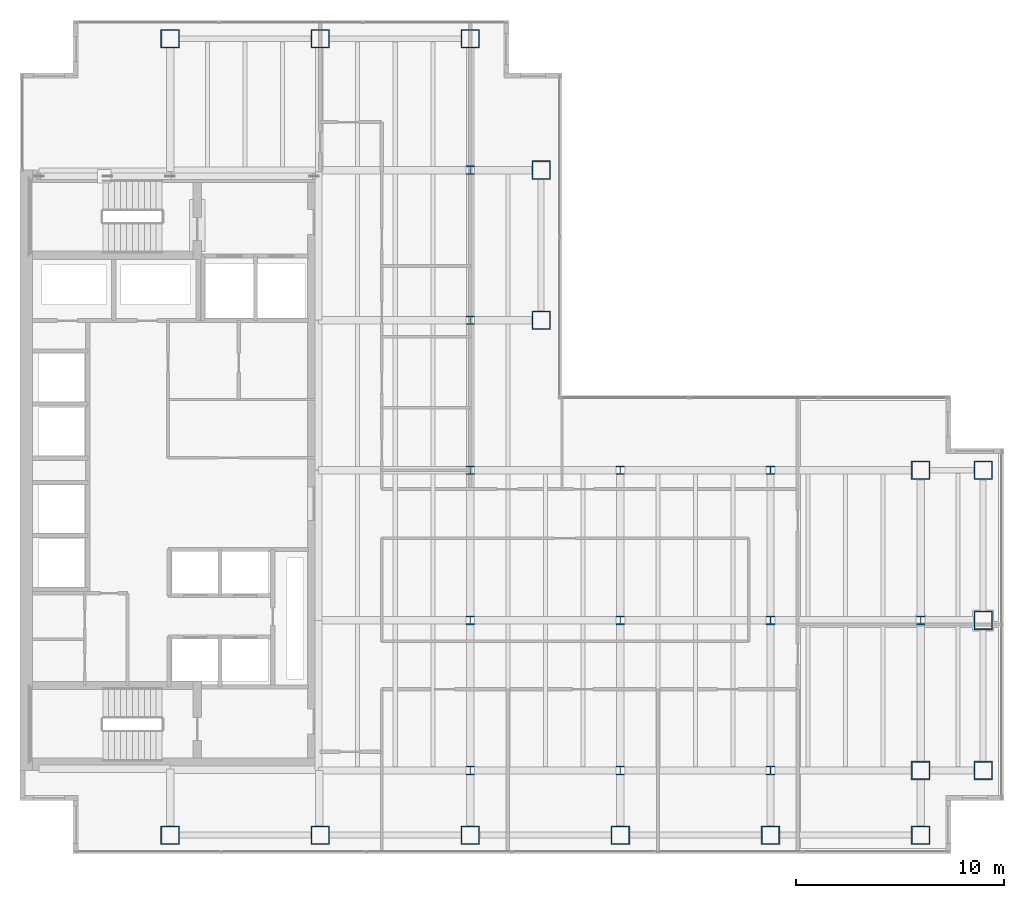
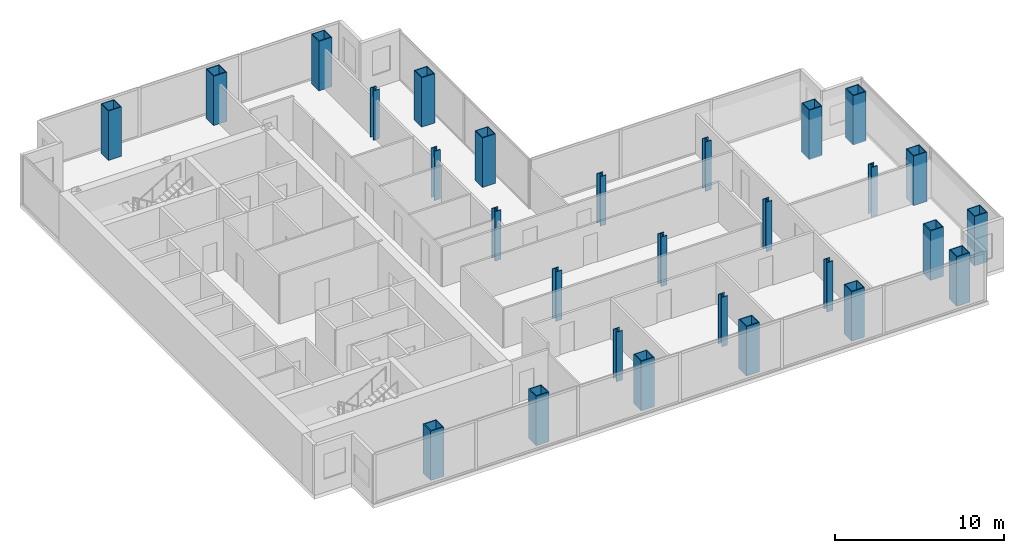
# One storey, part 1 of 23: 28 columns.
"""IFC4 building model written with IfcOpenShell, lengths in metres."""

from ifc_helpers import new_model, si_unit, direction, frame, origin, origin_2d, place, context, subcontext, project, spatial, hollow_rectangle, i_section, extrude, material, material_profile, profile_set, type_object, element, save


model = new_model("IFC4")

# Units and contexts
model_context = context("Model", 3, precision=1e-05, world=origin(), true_north=direction((0.0, 1.0)))
body_context = subcontext(model_context, "Body", "Model", "MODEL_VIEW")
ifc_project = project(units=[si_unit("LENGTHUNIT", "METRE"), si_unit("AREAUNIT", "SQUARE_METRE"), si_unit("VOLUMEUNIT", "CUBIC_METRE"), si_unit("PLANEANGLEUNIT", "RADIAN"), si_unit("MASSUNIT", "GRAM", prefix="KILO")], contexts=[model_context])

# Site, building, storey
site_placement = place(None, origin())
site = spatial("IfcSite", under=ifc_project, at=site_placement, CompositionType="ELEMENT")
building_placement = place(site_placement, origin())
building = spatial("IfcBuilding", under=site, at=building_placement, Name="Cobrela Telecom Tower", CompositionType="ELEMENT")
storey_placement = place(building_placement, frame((0.0, 0.0, 129.14990234375)))
storey = spatial("IfcBuildingStorey", under=building, at=storey_placement, Name="L32", CompositionType="ELEMENT", Elevation=129.14990234375)

# Columns
ifc_material_1 = material(Name="Steel ASTM A992 Grade 50", Category="steel")
ifc_material_profile_1 = material_profile(ifc_material_1, i_section(OverallWidth=0.408935546875, OverallDepth=0.424072265625, WebThickness=0.03271484375, FlangeThickness=0.052490234375, FilletRadius=0.01806640625, at=origin_2d()), Name="W14X283")
ifc_profile_set_1 = profile_set([ifc_material_profile_1], Name="Steel ASTM A992 Grade 50")
column_type_1 = type_object("IfcColumnType", Name="COL-INT-05", PredefinedType="COLUMN", material=ifc_profile_set_1)
for number, where, z_axis, x_axis, name in (
    (1, (21.60009765625, 7.199951171875, 0.0), (0.0, 0.0, 1.0), (1.0, 0.0, 0.0), "L32 Interior Column 06"),
    (2, (21.60009765625, 14.39990234375, 0.0), (0.0, 0.0, 1.0), (1.0, 0.0, 0.0), "L32 Interior Column 07"),
    (3, (21.60009765625, 21.60009765625, 0.0), (0.0, 0.0, 1.0), (1.0, 0.0, 0.0), "L32 Interior Column 08"),
    (4, (21.60009765625, 28.800048828125, 0.0), (0.0, 0.0, 1.0), (1.0, 0.0, 0.0), "L32 Interior Column 09"),
    (5, (21.60009765625, 36.0, 0.0), (0.0, 0.0, 1.0), (1.0, 0.0, 0.0), "L32 Interior Column 10"),
    (6, (28.800048828125, 7.199951171875, 0.0), (0.0, 0.0, 1.0), (1.0, 0.0, 0.0), "L32 Interior Column 15"),
    (7, (28.800048828125, 14.39990234375, 0.0), (0.0, 0.0, 1.0), (1.0, 0.0, 0.0), "L32 Interior Column 16"),
    (8, (28.800048828125, 21.60009765625, 0.0), (0.0, 0.0, 1.0), (1.0, 0.0, 0.0), "L32 Interior Column 17"),
    (9, (36.0, 7.199951171875, 0.0), (0.0, 0.0, 1.0), (1.0, 0.0, 0.0), "L32 Interior Column 19"),
    (10, (36.0, 14.39990234375, 0.0), (0.0, 0.0, 1.0), (1.0, 0.0, 0.0), "L32 Interior Column 20"),
    (11, (36.0, 21.60009765625, 0.0), (0.0, 0.0, 1.0), (1.0, 0.0, 0.0), "L32 Interior Column 21"),
    (12, (43.199951171875, 14.39990234375, 0.0), (0.0, 0.0, 1.0), (1.0, 0.0, 0.0), "L32 Interior Column 24"),
):
    element("IfcColumn", number, at=place(storey_placement, frame(where, z_axis=z_axis, x_axis=x_axis)), inside=storey, type_object=column_type_1, Name=name, PredefinedType="COLUMN", context=body_context, shape_type="SweptSolid", body=[
        extrude(i_section(OverallWidth=0.408935546875, OverallDepth=0.424072265625, WebThickness=0.03271484375, FlangeThickness=0.052490234375, FilletRadius=0.01806640625, at=origin_2d()), origin(), (0.0, 0.0, 1.0), 3.580078125),
    ])
ifc_material_2 = material(Name="Steel ASTM A572 Grade 50", Category="steel")
ifc_material_profile_2 = material_profile(ifc_material_2, hollow_rectangle(XDim=0.89990234375, YDim=0.89990234375, WallThickness=0.054931640625, at=origin_2d()), Name="BOX 900x900x55")
ifc_profile_set_2 = profile_set([ifc_material_profile_2], Name="Steel ASTM A572 Grade 50")
column_type_2 = type_object("IfcColumnType", Name="COL-MEGA-05", PredefinedType="COLUMN", material=ifc_profile_set_2)
for number, where, z_axis, x_axis, name in (
    (13, (7.199951171875, 4.10009765625, 0.0), (0.0, 0.0, 1.0), (1.0, 0.0, 0.0), "L32 Perimeter Mega-Column 01"),
    (14, (7.199951171875, 42.300048828125, 0.0), (0.0, 0.0, 1.0), (1.0, 0.0, 0.0), "L32 Perimeter Mega-Column 02"),
    (15, (14.39990234375, 4.10009765625, 0.0), (0.0, 0.0, 1.0), (1.0, 0.0, 0.0), "L32 Perimeter Mega-Column 03"),
    (16, (14.39990234375, 42.300048828125, 0.0), (0.0, 0.0, 1.0), (1.0, 0.0, 0.0), "L32 Perimeter Mega-Column 04"),
    (17, (21.60009765625, 4.10009765625, 0.0), (0.0, 0.0, 1.0), (1.0, 0.0, 0.0), "L32 Perimeter Mega-Column 05"),
    (18, (21.60009765625, 42.300048828125, 0.0), (0.0, 0.0, 1.0), (1.0, 0.0, 0.0), "L32 Perimeter Mega-Column 11"),
    (19, (25.0, 28.800048828125, 0.0), (0.0, 0.0, 1.0), (1.0, 0.0, 0.0), "L32 Perimeter Mega-Column 12"),
    (20, (25.0, 36.0, 0.0), (0.0, 0.0, 1.0), (1.0, 0.0, 0.0), "L32 Perimeter Mega-Column 13"),
    (21, (28.800048828125, 4.10009765625, 0.0), (0.0, 0.0, 1.0), (1.0, 0.0, 0.0), "L32 Perimeter Mega-Column 14"),
    (22, (36.0, 4.10009765625, 0.0), (0.0, 0.0, 1.0), (1.0, 0.0, 0.0), "L32 Perimeter Mega-Column 18"),
    (23, (43.199951171875, 4.10009765625, 0.0), (0.0, 0.0, 1.0), (1.0, 0.0, 0.0), "L32 Perimeter Mega-Column 22"),
    (24, (43.199951171875, 7.199951171875, 0.0), (0.0, 0.0, 1.0), (1.0, 0.0, 0.0), "L32 Perimeter Mega-Column 23"),
    (25, (43.199951171875, 21.60009765625, 0.0), (0.0, 0.0, 1.0), (1.0, 0.0, 0.0), "L32 Perimeter Mega-Column 25"),
    (26, (46.199951171875, 7.199951171875, 0.0), (0.0, 0.0, 1.0), (1.0, 0.0, 0.0), "L32 Perimeter Mega-Column 26"),
    (27, (46.199951171875, 14.39990234375, 0.0), (0.0, 0.0, 1.0), (1.0, 0.0, 0.0), "L32 Perimeter Mega-Column 27"),
    (28, (46.199951171875, 21.60009765625, 0.0), (0.0, 0.0, 1.0), (1.0, 0.0, 0.0), "L32 Perimeter Mega-Column 28"),
):
    element("IfcColumn", number, at=place(storey_placement, frame(where, z_axis=z_axis, x_axis=x_axis)), inside=storey, type_object=column_type_2, Name=name, PredefinedType="COLUMN", context=body_context, shape_type="SweptSolid", body=[
        extrude(hollow_rectangle(XDim=0.89990234375, YDim=0.89990234375, WallThickness=0.054931640625, at=origin_2d()), origin(), (0.0, 0.0, 1.0), 3.580078125),
    ])

save(model, "model.ifc")
